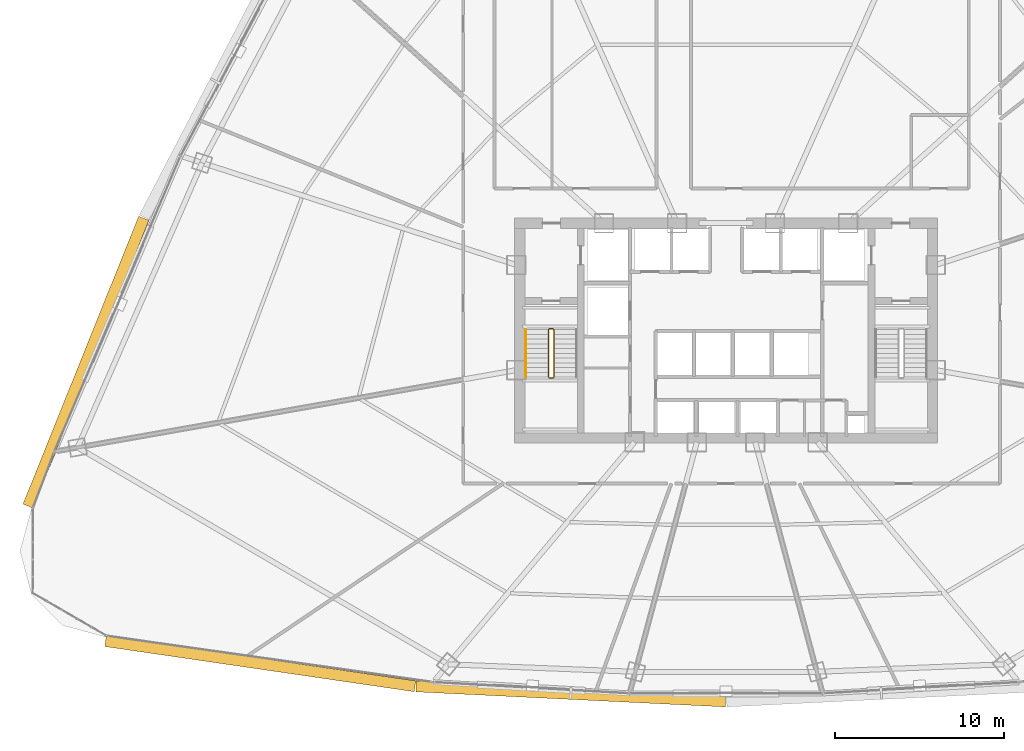
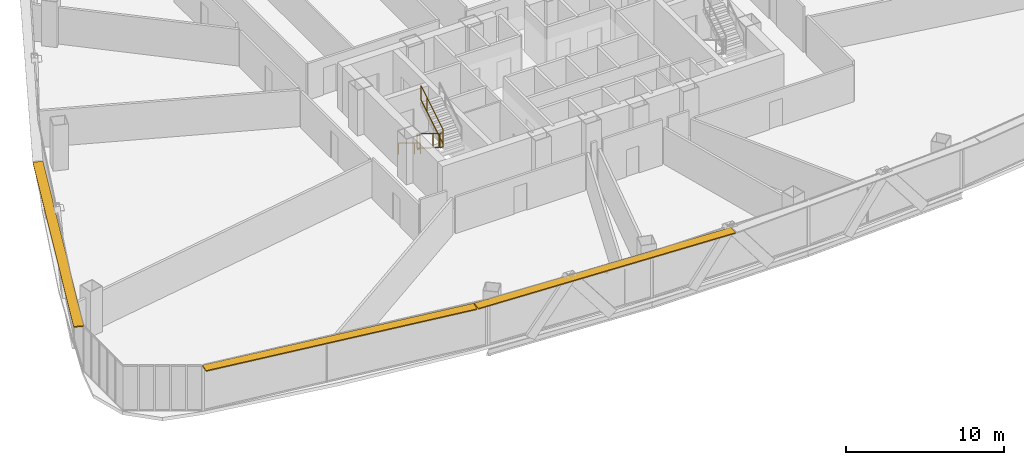
# One storey, part 38 of 41: 5 railings, 3 shading devices.
"""IFC4 building model written with IfcOpenShell, lengths in metres."""

from ifc_helpers import new_model, si_unit, direction, frame, origin, origin_2d, place, context, subcontext, project, spatial, rectangle, extrude, source, transform, mapped, material, layer, layer_set, type_object, element, save


model = new_model("IFC4")

# Units and contexts
model_context = context("Model", 3, precision=1e-05, world=origin(), true_north=direction((0.0, 1.0)))
body_context = subcontext(model_context, "Body", "Model", "MODEL_VIEW")
ifc_project = project(units=[si_unit("LENGTHUNIT", "METRE"), si_unit("AREAUNIT", "SQUARE_METRE"), si_unit("VOLUMEUNIT", "CUBIC_METRE"), si_unit("PLANEANGLEUNIT", "RADIAN"), si_unit("MASSUNIT", "GRAM", prefix="KILO"), si_unit("THERMODYNAMICTEMPERATUREUNIT", "KELVIN"), si_unit("POWERUNIT", "WATT")], contexts=[model_context])

# Site, building, storey
site_placement = place(None, origin())
site = spatial("IfcSite", under=ifc_project, at=site_placement, CompositionType="ELEMENT")
building_placement = place(site_placement, origin())
building = spatial("IfcBuilding", under=site, at=building_placement, Name="Yunzhuo Pagoda Commons", CompositionType="ELEMENT")
storey_placement = place(building_placement, frame((0.0, 0.0, 115.3798828125)))
storey = spatial("IfcBuildingStorey", under=building, at=storey_placement, Name="L29", CompositionType="ELEMENT", Elevation=115.3798828125)

# Railings
ifc_material = material(Name="Anodized aluminium 6063-T6", Category="aluminium")
railing_type_1 = type_object("IfcRailingType", Name="GR-ST1 Stair Well Guardrail 1150", PredefinedType="GUARDRAIL", material=ifc_material)
railing_1_placement = place(storey_placement, frame((37.5, 33.89990234375, 0.1728515625)))
element("IfcRailing", 1, at=railing_1_placement, inside=storey, type_object=railing_type_1, Name="L29 ST1 stair guard 1", PredefinedType="GUARDRAIL", context=body_context, shape_type="SweptSolid", body=[
    extrude(rectangle(XDim=0.048095703125, YDim=0.048095703125, at=origin_2d()), frame((0.0, 0.0, 1.1259765625), z_axis=(0.0, -0.851069175582, 0.525053576669), x_axis=(1.0, 0.0, 0.0)), (0.0, 0.0, 1.0), 3.289794921875),
    extrude(rectangle(XDim=0.048095703125, YDim=0.048095703125, at=origin_2d()), frame((0.0, 0.0, 0.02392578125), z_axis=(0.0, -0.851069175582, 0.525053576669), x_axis=(1.0, 0.0, 0.0)), (0.0, 0.0, 1.0), 3.289794921875),
    extrude(rectangle(XDim=0.0419921875, YDim=0.0419921875, at=origin_2d()), origin(), (0.0, 0.0, 1.0), 1.101806640625),
    extrude(rectangle(XDim=0.0419921875, YDim=0.0419921875, at=origin_2d()), frame((0.0, -2.04248046875, 1.260009765625)), (0.0, 0.0, 1.0), 1.101806640625),
    extrude(rectangle(XDim=0.0419921875, YDim=0.0419921875, at=origin_2d()), frame((0.0, -2.7998046875, 1.727294921875)), (0.0, 0.0, 1.0), 1.101806640625),
])
railing_2_placement = place(storey_placement, frame((37.550048828125, 31.050048828125, 1.900146484375)))
element("IfcRailing", 2, at=railing_2_placement, inside=storey, type_object=railing_type_1, Name="L29 ST1 stair guard 2", PredefinedType="GUARDRAIL", context=body_context, shape_type="SweptSolid", body=[
    extrude(rectangle(XDim=0.048095703125, YDim=0.048095703125, at=origin_2d()), frame((0.0, 0.0, 1.1259765625), z_axis=(1.0, 0.0, 0.0), x_axis=(0.0, 1.0, 0.0)), (0.0, 0.0, 1.0), 0.199951171875),
    extrude(rectangle(XDim=0.048095703125, YDim=0.048095703125, at=origin_2d()), frame((0.0, 0.0, 0.02392578125), z_axis=(1.0, 0.0, 0.0), x_axis=(0.0, 1.0, 0.0)), (0.0, 0.0, 1.0), 0.199951171875),
    extrude(rectangle(XDim=0.0419921875, YDim=0.0419921875, at=origin_2d()), origin(), (0.0, 0.0, 1.0), 1.101806640625),
    extrude(rectangle(XDim=0.0419921875, YDim=0.0419921875, at=origin_2d()), frame((0.199951171875, 0.0, 0.0)), (0.0, 0.0, 1.0), 1.101806640625),
])
railing_3_placement = place(storey_placement, frame((37.800048828125, 31.10009765625, 2.07275390625)))
element("IfcRailing", 3, at=railing_3_placement, inside=storey, type_object=railing_type_1, Name="L29 ST1 stair guard 3", PredefinedType="GUARDRAIL", context=body_context, shape_type="SweptSolid", body=[
    extrude(rectangle(XDim=0.048095703125, YDim=0.048095703125, at=origin_2d()), frame((0.0, 0.0, 1.1259765625), z_axis=(0.0, 0.851069175582, 0.525053576669), x_axis=(-1.0, 0.0, 0.0)), (0.0, 0.0, 1.0), 3.289794921875),
    extrude(rectangle(XDim=0.048095703125, YDim=0.048095703125, at=origin_2d()), frame((0.0, 0.0, 0.02392578125), z_axis=(0.0, 0.851069175582, 0.525053576669), x_axis=(-1.0, 0.0, 0.0)), (0.0, 0.0, 1.0), 3.289794921875),
    extrude(rectangle(XDim=0.0419921875, YDim=0.0419921875, at=origin_2d()), origin(), (0.0, 0.0, 1.0), 1.101806640625),
    extrude(rectangle(XDim=0.0419921875, YDim=0.0419921875, at=origin_2d()), frame((0.0, 2.04248046875, 1.260009765625)), (0.0, 0.0, 1.0), 1.101806640625),
    extrude(rectangle(XDim=0.0419921875, YDim=0.0419921875, at=origin_2d()), frame((0.0, 2.7998046875, 1.727294921875)), (0.0, 0.0, 1.0), 1.101806640625),
])
railing_4_placement = place(storey_placement, frame((37.550048828125, 33.949951171875, 0.0)))
element("IfcRailing", 4, at=railing_4_placement, inside=storey, type_object=railing_type_1, Name="L29 ST1 stair guard 4", PredefinedType="GUARDRAIL", context=body_context, shape_type="SweptSolid", body=[
    extrude(rectangle(XDim=0.048095703125, YDim=0.048095703125, at=origin_2d()), frame((0.0, 0.0, 1.1259765625), z_axis=(1.0, 0.0, 0.0), x_axis=(0.0, 1.0, 0.0)), (0.0, 0.0, 1.0), 0.199951171875),
    extrude(rectangle(XDim=0.048095703125, YDim=0.048095703125, at=origin_2d()), frame((0.0, 0.0, 0.02392578125), z_axis=(1.0, 0.0, 0.0), x_axis=(0.0, 1.0, 0.0)), (0.0, 0.0, 1.0), 0.199951171875),
    extrude(rectangle(XDim=0.0419921875, YDim=0.0419921875, at=origin_2d()), origin(), (0.0, 0.0, 1.0), 1.101806640625),
    extrude(rectangle(XDim=0.0419921875, YDim=0.0419921875, at=origin_2d()), frame((0.199951171875, 0.0, 0.0)), (0.0, 0.0, 1.0), 1.101806640625),
])
railing_type_2 = type_object("IfcRailingType", Name="HR-ST1 Stair Handrail 900", PredefinedType="HANDRAIL", material=ifc_material)
railing_5_placement = place(storey_placement, frame((36.14990234375, 33.89990234375, 0.1728515625)))
element("IfcRailing", 5, at=railing_5_placement, inside=storey, type_object=railing_type_2, Name="L29 ST1 stair handrail 1", PredefinedType="HANDRAIL", context=body_context, shape_type="SweptSolid", body=[
    extrude(rectangle(XDim=0.048095703125, YDim=0.048095703125, at=origin_2d()), frame((0.0, 0.0, 0.8759765625), z_axis=(0.0, -0.851069175582, 0.525053576669), x_axis=(1.0, 0.0, 0.0)), (0.0, 0.0, 1.0), 3.289794921875),
    extrude(rectangle(XDim=0.0419921875, YDim=0.0419921875, at=origin_2d()), origin(), (0.0, 0.0, 1.0), 0.851806640625),
    extrude(rectangle(XDim=0.0419921875, YDim=0.0419921875, at=origin_2d()), frame((0.0, -2.04248046875, 1.260009765625)), (0.0, 0.0, 1.0), 0.851806640625),
    extrude(rectangle(XDim=0.0419921875, YDim=0.0419921875, at=origin_2d()), frame((0.0, -2.7998046875, 1.727294921875)), (0.0, 0.0, 1.0), 0.851806640625),
])

# Shading devices
ifc_layer = layer(ifc_material, 0.080078125)
ifc_layer_set = layer_set([ifc_layer], Name="Anodized aluminium 6063-T6")
shading_device_type = type_object("IfcShadingDeviceType", Name="SH-SUN1 Pagoda Horizontal Sunshade Eave 650", PredefinedType="USERDEFINED", material=ifc_layer_set)
shared_shape_1 = source(origin(), body_context, "Body", "SweptSolid", [
    extrude(rectangle(XDim=18.497314453125, YDim=0.64990234375, at=origin_2d()), origin(), (0.0, 0.0, 1.0), 0.080078125),
])
shading_device_1_placement = place(storey_placement, frame((20.45068359375, 14.14892578125, 3.440185546875), z_axis=(0.0, 0.0, 1.0), x_axis=(0.989510666697, -0.144459823108, 0.0)))
element("IfcShadingDevice", 6, at=shading_device_1_placement, inside=storey, type_object=shading_device_type, Name="L29 horizontal pagoda sunshade eave F1.1", ObjectType="SUNSHADE", PredefinedType="USERDEFINED", context=body_context, shape_type="MappedRepresentation", body=[
    mapped(shared_shape_1, transform((0.0, 0.0, 0.0), scale=1.0)),
])
shared_shape_2 = source(origin(), body_context, "Body", "SweptSolid", [
    extrude(rectangle(XDim=18.32470703125, YDim=0.64990234375, at=origin_2d()), origin(), (0.0, 0.0, 1.0), 0.080078125),
])
shading_device_2_placement = place(storey_placement, frame((38.81689453125, 12.361572265625, 3.440185546875), z_axis=(0.0, 0.0, 1.0), x_axis=(0.998818043775, -0.04860571396, 0.0)))
element("IfcShadingDevice", 7, at=shading_device_2_placement, inside=storey, type_object=shading_device_type, Name="L29 horizontal pagoda sunshade eave F1.2", ObjectType="SUNSHADE", PredefinedType="USERDEFINED", context=body_context, shape_type="MappedRepresentation", body=[
    mapped(shared_shape_2, transform((0.0, 0.0, 0.0), scale=1.0)),
])
shared_shape_3 = source(origin(), body_context, "Body", "SweptSolid", [
    extrude(rectangle(XDim=18.3486328125, YDim=0.64990234375, at=origin_2d()), origin(), (0.0, 0.0, 1.0), 0.080078125),
])
shading_device_3_placement = place(storey_placement, frame((10.138916015625, 31.977294921875, 3.440185546875), z_axis=(0.0, 0.0, 1.0), x_axis=(-0.372987782576, -0.927836253899, 0.0)))
element("IfcShadingDevice", 8, at=shading_device_3_placement, inside=storey, type_object=shading_device_type, Name="L29 horizontal pagoda sunshade eave F3.4", ObjectType="SUNSHADE", PredefinedType="USERDEFINED", context=body_context, shape_type="MappedRepresentation", body=[
    mapped(shared_shape_3, transform((0.0, 0.0, 0.0), scale=1.0)),
])

save(model, "model.ifc")
